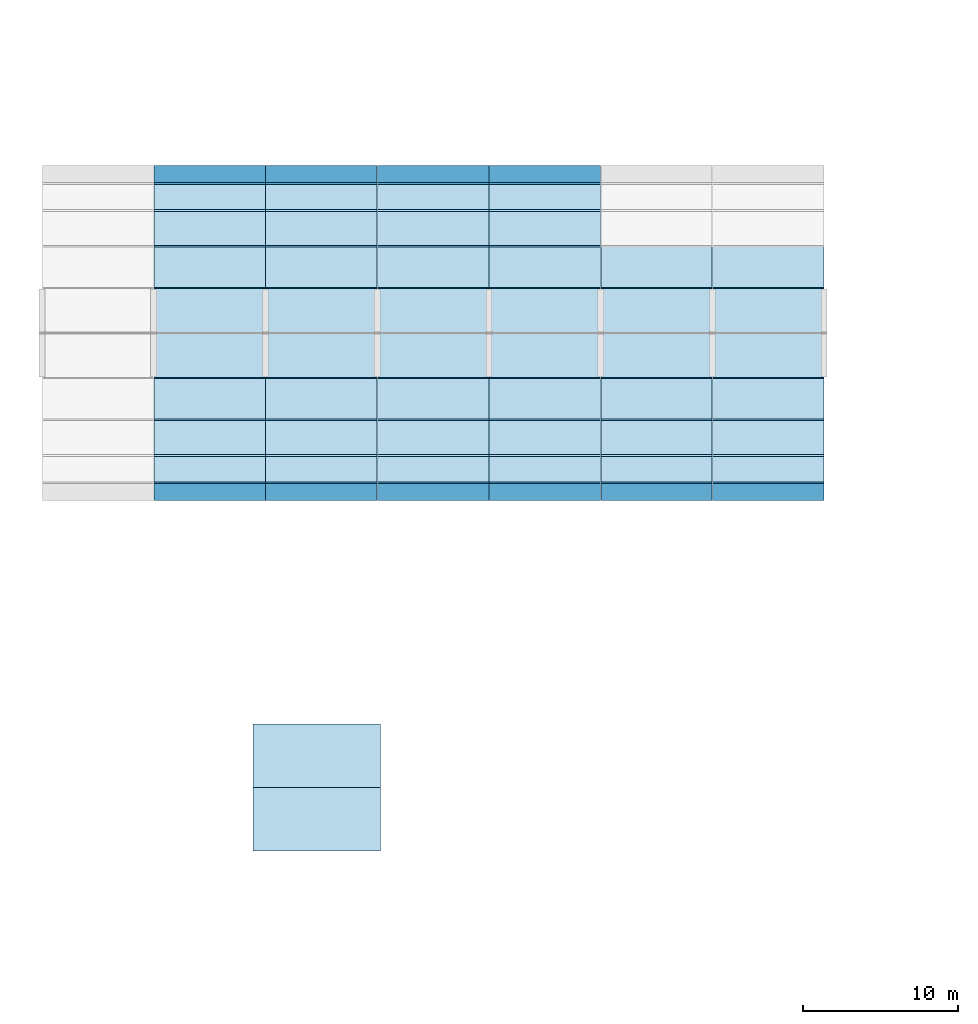
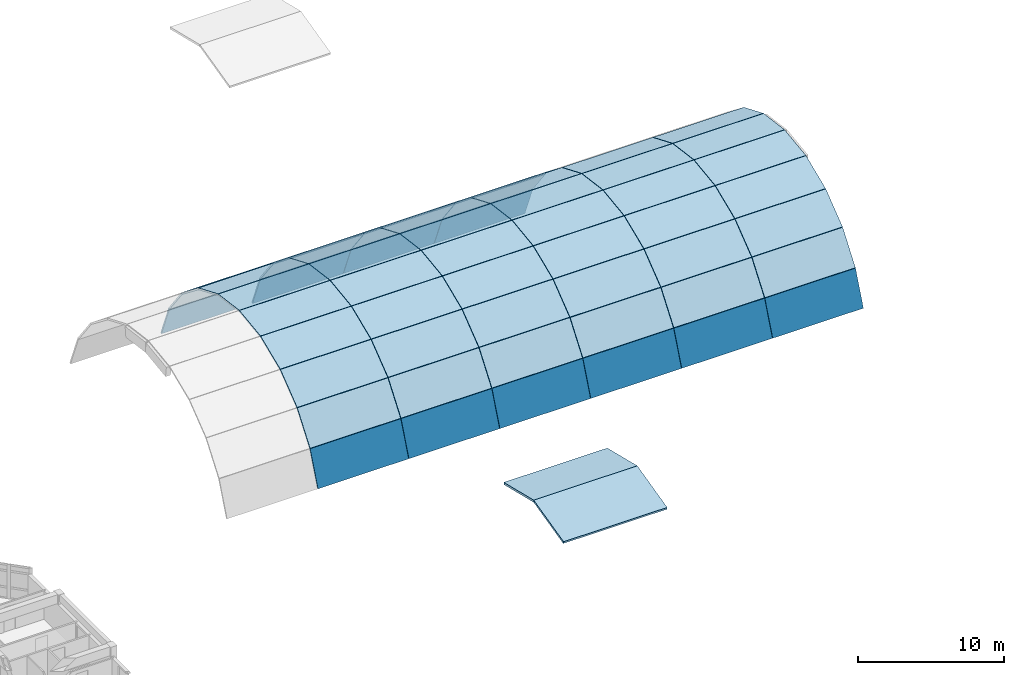
# One storey, part 14 of 51: 56 slabs, 6 elements without a shape of their own.
"""IFC4 building model written with IfcOpenShell, lengths in metres."""

from ifc_helpers import new_model, si_unit, direction, frame, origin, place, context, subcontext, project, spatial, polyline, outline, extrude, material, layer, layer_set, type_object, element, aggregate, save


model = new_model("IFC4")

# Units and contexts
model_context = context("Model", 3, precision=1e-05, world=origin(), true_north=direction((0.0, 1.0)))
body_context = subcontext(model_context, "Body", "Model", "MODEL_VIEW")
ifc_project = project(units=[si_unit("LENGTHUNIT", "METRE"), si_unit("AREAUNIT", "SQUARE_METRE"), si_unit("VOLUMEUNIT", "CUBIC_METRE"), si_unit("PLANEANGLEUNIT", "RADIAN"), si_unit("MASSUNIT", "GRAM", prefix="KILO")], contexts=[model_context])

# Site, building, storey
site_placement = place(None, origin())
site = spatial("IfcSite", under=ifc_project, at=site_placement, CompositionType="ELEMENT")
building_placement = place(site_placement, origin())
building = spatial("IfcBuilding", under=site, at=building_placement, Name="Ochrevale Crest", CompositionType="ELEMENT")
storey_placement = place(building_placement, frame((0.0, 0.0, 11.85009765625)))
storey = spatial("IfcBuildingStorey", under=building, at=storey_placement, Name="L03", CompositionType="ELEMENT", Elevation=11.85009765625)

# Slabs
ifc_material_1 = material(Name="Concrete C40/50", Category="concrete")
ifc_layer_1 = layer(ifc_material_1, 0.179931640625)
ifc_layer_set_1 = layer_set([ifc_layer_1], Name="Concrete C40/50")
slab_type_1 = type_object("IfcSlabType", Name="SLB-ROOF-OVR-180", PredefinedType="ROOF", material=ifc_layer_set_1)
slab_1_placement = place(storey_placement, frame((71.199951171875, 20.60009765625, 0.0), z_axis=(0.0, -0.23696417105, 0.971518389758), x_axis=(1.0, 0.0, 0.0)))
element("IfcSlab", 1, at=slab_1_placement, inside=storey, type_object=slab_type_1, Name="Retail roof-garden sunroom south pitched roof", PredefinedType="ROOF", context=body_context, shape_type="SweptSolid", body=[
    extrude(outline(polyline([(0.0, 0.0), (8.199951171875, 0.0), (8.199951171875, 4.2200472567949605), (0.0, 4.2200472567949605), (0.0, 0.0)])), origin(), (0.0, 0.0, -1.0), 0.179931640625),
])
slab_2_placement = place(storey_placement, frame((71.199951171875, 24.699951171875, 1.0), z_axis=(0.0, 0.236950853242, 0.971521638024), x_axis=(1.0, 0.0, 0.0)))
element("IfcSlab", 2, at=slab_2_placement, inside=storey, type_object=slab_type_1, Name="Retail roof-garden sunroom north pitched roof", PredefinedType="ROOF", context=body_context, shape_type="SweptSolid", body=[
    extrude(outline(polyline([(0.0, 0.0), (8.199951171875, 0.0), (8.199951171875, 4.220284444298363), (0.0, 4.220284444298363), (0.0, 0.0)])), origin(), (0.0, 0.0, -1.0), 0.179931640625),
])

# Roof, slabs
ifc_material_2 = material(Name="Precast concrete C40/50", Category="concrete")
ifc_layer_2 = layer(ifc_material_2, 0.135009765625)
ifc_layer_set_2 = layer_set([ifc_layer_2], Name="Precast concrete C40/50")
roof_type = type_object("IfcRoofType", Name="ROOF-BARREL-HALL", PredefinedType="BARREL_ROOF", material=ifc_layer_set_2)
roof_1_placement = place(storey_placement, origin())
roof_1 = element("IfcRoof", 3, at=roof_1_placement, inside=storey, type_object=roof_type, Name="Community hall barrel vault bay V2", PredefinedType="BARREL_ROOF")
ifc_layer_3 = layer(ifc_material_2, 0.135009765625)
ifc_layer_set_3 = layer_set([ifc_layer_3], Name="Precast concrete C40/50")
slab_type_2 = type_object("IfcSlabType", Name="SLB-VAULT-135", PredefinedType="ROOF", material=ifc_layer_set_3)
slab_3_placement = place(storey_placement, frame((64.81005859375, 43.204345703125, -7.039306640625), z_axis=(0.0, -0.928326408732, 0.371766161519), x_axis=(1.0, 0.0, 0.0)))
slab_3 = element("IfcSlab", 4, at=slab_3_placement, type_object=slab_type_2, Name="Community hall barrel-vault precast roof facet B2-S01", PredefinedType="ROOF", context=body_context, shape_type="SweptSolid", body=[
    extrude(outline(polyline([(0.0, 0.0), (7.179931640625, 0.0), (7.179931640625, 2.9144559292945313), (0.0, 2.9144559292945313), (0.0, 0.0)])), origin(), (0.0, 0.0, -1.0), 0.135009765625),
])
slab_4_placement = place(storey_placement, frame((64.81005859375, 44.29931640625, -4.3134765625), z_axis=(0.0, -0.798912919198, 0.601446712135), x_axis=(1.0, 0.0, 0.0)))
slab_4 = element("IfcSlab", 5, at=slab_4_placement, type_object=slab_type_2, Name="Community hall barrel-vault precast roof facet B2-S02", PredefinedType="ROOF", context=body_context, shape_type="SweptSolid", body=[
    extrude(outline(polyline([(0.0, 0.0), (7.179931640625, 0.0), (7.179931640625, 2.914116099583117), (0.0, 2.914116099583117), (0.0, 0.0)])), origin(), (0.0, 0.0, -1.0), 0.135009765625),
])
slab_5_placement = place(storey_placement, frame((64.81005859375, 46.068359375, -1.96875), z_axis=(0.0, -0.613940613515, 0.789352217376), x_axis=(1.0, 0.0, 0.0)))
slab_5 = element("IfcSlab", 6, at=slab_5_placement, type_object=slab_type_2, Name="Community hall barrel-vault precast roof facet B2-S03", PredefinedType="ROOF", context=body_context, shape_type="SweptSolid", body=[
    extrude(outline(polyline([(0.0, 0.0), (7.179931640625, 0.0), (7.179931640625, 2.914462085153314), (0.0, 2.914462085153314), (0.0, 0.0)])), origin(), (0.0, 0.0, -1.0), 0.135009765625),
])
slab_6_placement = place(storey_placement, frame((64.81005859375, 48.388916015625, -0.167724609375), z_axis=(0.0, -0.386292257236, 0.922376437253), x_axis=(1.0, 0.0, 0.0)))
slab_6 = element("IfcSlab", 7, at=slab_6_placement, type_object=slab_type_2, Name="Community hall barrel-vault precast roof facet B2-S04", PredefinedType="ROOF", context=body_context, shape_type="SweptSolid", body=[
    extrude(outline(polyline([(0.0, 0.0), (7.179931640625, 0.0), (7.179931640625, 2.9141987725270013), (0.0, 2.9141987725270013), (0.0, 0.0)])), origin(), (0.0, 0.0, -1.0), 0.135009765625),
])
slab_7_placement = place(storey_placement, frame((64.81005859375, 51.099609375, 0.964111328125), z_axis=(0.0, -0.131867379706, 0.991267367651), x_axis=(1.0, 0.0, 0.0)))
slab_7 = element("IfcSlab", 8, at=slab_7_placement, type_object=slab_type_2, Name="Community hall barrel-vault precast roof facet B2-S05", PredefinedType="ROOF", context=body_context, shape_type="SweptSolid", body=[
    extrude(outline(polyline([(0.0, 0.0), (7.179931640625, 0.0), (7.179931640625, 2.9141198119390306), (0.0, 2.9141198119390306), (0.0, 0.0)])), origin(), (0.0, 0.0, -1.0), 0.135009765625),
])
slab_8_placement = place(storey_placement, frame((64.81005859375, 54.01171875, 1.348388671875), z_axis=(0.0, 0.131867379706, 0.991267367651), x_axis=(1.0, 0.0, 0.0)))
slab_8 = element("IfcSlab", 9, at=slab_8_placement, type_object=slab_type_2, Name="Community hall barrel-vault precast roof facet B2-S06", PredefinedType="ROOF", context=body_context, shape_type="SweptSolid", body=[
    extrude(outline(polyline([(0.0, 0.0), (7.179931640625, 0.0), (7.179931640625, 2.9141198119390306), (0.0, 2.9141198119390306), (0.0, 0.0)])), origin(), (0.0, 0.0, -1.0), 0.135009765625),
])
slab_9_placement = place(storey_placement, frame((64.81005859375, 56.923095703125, 0.9580078125), z_axis=(0.0, 0.386292257236, 0.922376437253), x_axis=(1.0, 0.0, 0.0)))
slab_9 = element("IfcSlab", 10, at=slab_9_placement, type_object=slab_type_2, Name="Community hall barrel-vault precast roof facet B2-S07", PredefinedType="ROOF", context=body_context, shape_type="SweptSolid", body=[
    extrude(outline(polyline([(0.0, 0.0), (7.179931640625, 0.0), (7.179931640625, 2.9141987725270013), (0.0, 2.9141987725270013), (0.0, 0.0)])), origin(), (0.0, 0.0, -1.0), 0.135009765625),
])
slab_10_placement = place(storey_placement, frame((64.81005859375, 59.631103515625, -0.179443359375), z_axis=(0.0, 0.613940613515, 0.789352217376), x_axis=(1.0, 0.0, 0.0)))
slab_10 = element("IfcSlab", 11, at=slab_10_placement, type_object=slab_type_2, Name="Community hall barrel-vault precast roof facet B2-S08", PredefinedType="ROOF", context=body_context, shape_type="SweptSolid", body=[
    extrude(outline(polyline([(0.0, 0.0), (7.179931640625, 0.0), (7.179931640625, 2.914462085153314), (0.0, 2.914462085153314), (0.0, 0.0)])), origin(), (0.0, 0.0, -1.0), 0.135009765625),
])
slab_11_placement = place(storey_placement, frame((64.81005859375, 61.947998046875, -1.9853515625), z_axis=(0.0, 0.798912919198, 0.601446712135), x_axis=(1.0, 0.0, 0.0)))
slab_11 = element("IfcSlab", 12, at=slab_11_placement, type_object=slab_type_2, Name="Community hall barrel-vault precast roof facet B2-S09", PredefinedType="ROOF", context=body_context, shape_type="SweptSolid", body=[
    extrude(outline(polyline([(0.0, 0.0), (7.179931640625, 0.0), (7.179931640625, 2.914116099583117), (0.0, 2.914116099583117), (0.0, 0.0)])), origin(), (0.0, 0.0, -1.0), 0.135009765625),
])
slab_12_placement = place(storey_placement, frame((64.81005859375, 63.712158203125, -4.333740234375), z_axis=(0.0, 0.928326408732, 0.371766161519), x_axis=(1.0, 0.0, 0.0)))
slab_12 = element("IfcSlab", 13, at=slab_12_placement, type_object=slab_type_2, Name="Community hall barrel-vault precast roof facet B2-S10", PredefinedType="ROOF", context=body_context, shape_type="SweptSolid", body=[
    extrude(outline(polyline([(0.0, 0.0), (7.179931640625, 0.0), (7.179931640625, 2.9144559292945313), (0.0, 2.9144559292945313), (0.0, 0.0)])), origin(), (0.0, 0.0, -1.0), 0.135009765625),
])
aggregate(roof_1, [slab_3, slab_4, slab_5, slab_6, slab_7, slab_8, slab_9, slab_10, slab_11, slab_12])

roof_2_placement = place(storey_placement, origin())
roof_2 = element("IfcRoof", 14, at=roof_2_placement, inside=storey, type_object=roof_type, Name="Community hall barrel vault bay V3", PredefinedType="BARREL_ROOF")
slab_13_placement = place(storey_placement, frame((72.010009765625, 43.204345703125, -7.039306640625), z_axis=(0.0, -0.928326408732, 0.371766161519), x_axis=(1.0, 0.0, 0.0)))
slab_13 = element("IfcSlab", 15, at=slab_13_placement, type_object=slab_type_2, Name="Community hall barrel-vault precast roof facet B3-S01", PredefinedType="ROOF", context=body_context, shape_type="SweptSolid", body=[
    extrude(outline(polyline([(0.0, 0.0), (7.179931640625, 0.0), (7.179931640625, 2.9144559292945313), (0.0, 2.9144559292945313), (0.0, 0.0)])), origin(), (0.0, 0.0, -1.0), 0.135009765625),
])
slab_14_placement = place(storey_placement, frame((72.010009765625, 44.29931640625, -4.3134765625), z_axis=(0.0, -0.798912919198, 0.601446712135), x_axis=(1.0, 0.0, 0.0)))
slab_14 = element("IfcSlab", 16, at=slab_14_placement, type_object=slab_type_2, Name="Community hall barrel-vault precast roof facet B3-S02", PredefinedType="ROOF", context=body_context, shape_type="SweptSolid", body=[
    extrude(outline(polyline([(0.0, 0.0), (7.179931640625, 0.0), (7.179931640625, 2.914116099583117), (0.0, 2.914116099583117), (0.0, 0.0)])), origin(), (0.0, 0.0, -1.0), 0.135009765625),
])
slab_15_placement = place(storey_placement, frame((72.010009765625, 46.068359375, -1.96875), z_axis=(0.0, -0.613940613515, 0.789352217376), x_axis=(1.0, 0.0, 0.0)))
slab_15 = element("IfcSlab", 17, at=slab_15_placement, type_object=slab_type_2, Name="Community hall barrel-vault precast roof facet B3-S03", PredefinedType="ROOF", context=body_context, shape_type="SweptSolid", body=[
    extrude(outline(polyline([(0.0, 0.0), (7.179931640625, 0.0), (7.179931640625, 2.914462085153314), (0.0, 2.914462085153314), (0.0, 0.0)])), origin(), (0.0, 0.0, -1.0), 0.135009765625),
])
slab_16_placement = place(storey_placement, frame((72.010009765625, 48.388916015625, -0.167724609375), z_axis=(0.0, -0.386292257236, 0.922376437253), x_axis=(1.0, 0.0, 0.0)))
slab_16 = element("IfcSlab", 18, at=slab_16_placement, type_object=slab_type_2, Name="Community hall barrel-vault precast roof facet B3-S04", PredefinedType="ROOF", context=body_context, shape_type="SweptSolid", body=[
    extrude(outline(polyline([(0.0, 0.0), (7.179931640625, 0.0), (7.179931640625, 2.9141987725270013), (0.0, 2.9141987725270013), (0.0, 0.0)])), origin(), (0.0, 0.0, -1.0), 0.135009765625),
])
slab_17_placement = place(storey_placement, frame((72.010009765625, 51.099609375, 0.964111328125), z_axis=(0.0, -0.131867379706, 0.991267367651), x_axis=(1.0, 0.0, 0.0)))
slab_17 = element("IfcSlab", 19, at=slab_17_placement, type_object=slab_type_2, Name="Community hall barrel-vault precast roof facet B3-S05", PredefinedType="ROOF", context=body_context, shape_type="SweptSolid", body=[
    extrude(outline(polyline([(0.0, 0.0), (7.179931640625, 0.0), (7.179931640625, 2.9141198119390306), (0.0, 2.9141198119390306), (0.0, 0.0)])), origin(), (0.0, 0.0, -1.0), 0.135009765625),
])
slab_18_placement = place(storey_placement, frame((72.010009765625, 54.01171875, 1.348388671875), z_axis=(0.0, 0.131867379706, 0.991267367651), x_axis=(1.0, 0.0, 0.0)))
slab_18 = element("IfcSlab", 20, at=slab_18_placement, type_object=slab_type_2, Name="Community hall barrel-vault precast roof facet B3-S06", PredefinedType="ROOF", context=body_context, shape_type="SweptSolid", body=[
    extrude(outline(polyline([(0.0, 0.0), (7.179931640625, 0.0), (7.179931640625, 2.9141198119390306), (0.0, 2.9141198119390306), (0.0, 0.0)])), origin(), (0.0, 0.0, -1.0), 0.135009765625),
])
slab_19_placement = place(storey_placement, frame((72.010009765625, 56.923095703125, 0.9580078125), z_axis=(0.0, 0.386292257236, 0.922376437253), x_axis=(1.0, 0.0, 0.0)))
slab_19 = element("IfcSlab", 21, at=slab_19_placement, type_object=slab_type_2, Name="Community hall barrel-vault precast roof facet B3-S07", PredefinedType="ROOF", context=body_context, shape_type="SweptSolid", body=[
    extrude(outline(polyline([(0.0, 0.0), (7.179931640625, 0.0), (7.179931640625, 2.9141987725270013), (0.0, 2.9141987725270013), (0.0, 0.0)])), origin(), (0.0, 0.0, -1.0), 0.135009765625),
])
slab_20_placement = place(storey_placement, frame((72.010009765625, 59.631103515625, -0.179443359375), z_axis=(0.0, 0.613940613515, 0.789352217376), x_axis=(1.0, 0.0, 0.0)))
slab_20 = element("IfcSlab", 22, at=slab_20_placement, type_object=slab_type_2, Name="Community hall barrel-vault precast roof facet B3-S08", PredefinedType="ROOF", context=body_context, shape_type="SweptSolid", body=[
    extrude(outline(polyline([(0.0, 0.0), (7.179931640625, 0.0), (7.179931640625, 2.914462085153314), (0.0, 2.914462085153314), (0.0, 0.0)])), origin(), (0.0, 0.0, -1.0), 0.135009765625),
])
slab_21_placement = place(storey_placement, frame((72.010009765625, 61.947998046875, -1.9853515625), z_axis=(0.0, 0.798912919198, 0.601446712135), x_axis=(1.0, 0.0, 0.0)))
slab_21 = element("IfcSlab", 23, at=slab_21_placement, type_object=slab_type_2, Name="Community hall barrel-vault precast roof facet B3-S09", PredefinedType="ROOF", context=body_context, shape_type="SweptSolid", body=[
    extrude(outline(polyline([(0.0, 0.0), (7.179931640625, 0.0), (7.179931640625, 2.914116099583117), (0.0, 2.914116099583117), (0.0, 0.0)])), origin(), (0.0, 0.0, -1.0), 0.135009765625),
])
slab_22_placement = place(storey_placement, frame((72.010009765625, 63.712158203125, -4.333740234375), z_axis=(0.0, 0.928326408732, 0.371766161519), x_axis=(1.0, 0.0, 0.0)))
slab_22 = element("IfcSlab", 24, at=slab_22_placement, type_object=slab_type_2, Name="Community hall barrel-vault precast roof facet B3-S10", PredefinedType="ROOF", context=body_context, shape_type="SweptSolid", body=[
    extrude(outline(polyline([(0.0, 0.0), (7.179931640625, 0.0), (7.179931640625, 2.9144559292945313), (0.0, 2.9144559292945313), (0.0, 0.0)])), origin(), (0.0, 0.0, -1.0), 0.135009765625),
])
aggregate(roof_2, [slab_13, slab_14, slab_15, slab_16, slab_17, slab_18, slab_19, slab_20, slab_21, slab_22])

roof_3_placement = place(storey_placement, origin())
roof_3 = element("IfcRoof", 25, at=roof_3_placement, inside=storey, type_object=roof_type, Name="Community hall barrel vault bay V4", PredefinedType="BARREL_ROOF")
slab_23_placement = place(storey_placement, frame((79.2099609375, 43.204345703125, -7.039306640625), z_axis=(0.0, -0.928326408732, 0.371766161519), x_axis=(1.0, 0.0, 0.0)))
slab_23 = element("IfcSlab", 26, at=slab_23_placement, type_object=slab_type_2, Name="Community hall barrel-vault precast roof facet B4-S01", PredefinedType="ROOF", context=body_context, shape_type="SweptSolid", body=[
    extrude(outline(polyline([(0.0, 0.0), (7.179931640625, 0.0), (7.179931640625, 2.9144559292945313), (0.0, 2.9144559292945313), (0.0, 0.0)])), origin(), (0.0, 0.0, -1.0), 0.135009765625),
])
slab_24_placement = place(storey_placement, frame((79.2099609375, 44.29931640625, -4.3134765625), z_axis=(0.0, -0.798912919198, 0.601446712135), x_axis=(1.0, 0.0, 0.0)))
slab_24 = element("IfcSlab", 27, at=slab_24_placement, type_object=slab_type_2, Name="Community hall barrel-vault precast roof facet B4-S02", PredefinedType="ROOF", context=body_context, shape_type="SweptSolid", body=[
    extrude(outline(polyline([(0.0, 0.0), (7.179931640625, 0.0), (7.179931640625, 2.914116099583117), (0.0, 2.914116099583117), (0.0, 0.0)])), origin(), (0.0, 0.0, -1.0), 0.135009765625),
])
slab_25_placement = place(storey_placement, frame((79.2099609375, 46.068359375, -1.96875), z_axis=(0.0, -0.613940613515, 0.789352217376), x_axis=(1.0, 0.0, 0.0)))
slab_25 = element("IfcSlab", 28, at=slab_25_placement, type_object=slab_type_2, Name="Community hall barrel-vault precast roof facet B4-S03", PredefinedType="ROOF", context=body_context, shape_type="SweptSolid", body=[
    extrude(outline(polyline([(0.0, 0.0), (7.179931640625, 0.0), (7.179931640625, 2.914462085153314), (0.0, 2.914462085153314), (0.0, 0.0)])), origin(), (0.0, 0.0, -1.0), 0.135009765625),
])
slab_26_placement = place(storey_placement, frame((79.2099609375, 48.388916015625, -0.167724609375), z_axis=(0.0, -0.386292257236, 0.922376437253), x_axis=(1.0, 0.0, 0.0)))
slab_26 = element("IfcSlab", 29, at=slab_26_placement, type_object=slab_type_2, Name="Community hall barrel-vault precast roof facet B4-S04", PredefinedType="ROOF", context=body_context, shape_type="SweptSolid", body=[
    extrude(outline(polyline([(0.0, 0.0), (7.179931640625, 0.0), (7.179931640625, 2.9141987725270013), (0.0, 2.9141987725270013), (0.0, 0.0)])), origin(), (0.0, 0.0, -1.0), 0.135009765625),
])
slab_27_placement = place(storey_placement, frame((79.2099609375, 51.099609375, 0.964111328125), z_axis=(0.0, -0.131867379706, 0.991267367651), x_axis=(1.0, 0.0, 0.0)))
slab_27 = element("IfcSlab", 30, at=slab_27_placement, type_object=slab_type_2, Name="Community hall barrel-vault precast roof facet B4-S05", PredefinedType="ROOF", context=body_context, shape_type="SweptSolid", body=[
    extrude(outline(polyline([(0.0, 0.0), (7.179931640625, 0.0), (7.179931640625, 2.9141198119390306), (0.0, 2.9141198119390306), (0.0, 0.0)])), origin(), (0.0, 0.0, -1.0), 0.135009765625),
])
slab_28_placement = place(storey_placement, frame((79.2099609375, 54.01171875, 1.348388671875), z_axis=(0.0, 0.131867379706, 0.991267367651), x_axis=(1.0, 0.0, 0.0)))
slab_28 = element("IfcSlab", 31, at=slab_28_placement, type_object=slab_type_2, Name="Community hall barrel-vault precast roof facet B4-S06", PredefinedType="ROOF", context=body_context, shape_type="SweptSolid", body=[
    extrude(outline(polyline([(0.0, 0.0), (7.179931640625, 0.0), (7.179931640625, 2.9141198119390306), (0.0, 2.9141198119390306), (0.0, 0.0)])), origin(), (0.0, 0.0, -1.0), 0.135009765625),
])
slab_29_placement = place(storey_placement, frame((79.2099609375, 56.923095703125, 0.9580078125), z_axis=(0.0, 0.386292257236, 0.922376437253), x_axis=(1.0, 0.0, 0.0)))
slab_29 = element("IfcSlab", 32, at=slab_29_placement, type_object=slab_type_2, Name="Community hall barrel-vault precast roof facet B4-S07", PredefinedType="ROOF", context=body_context, shape_type="SweptSolid", body=[
    extrude(outline(polyline([(0.0, 0.0), (7.179931640625, 0.0), (7.179931640625, 2.9141987725270013), (0.0, 2.9141987725270013), (0.0, 0.0)])), origin(), (0.0, 0.0, -1.0), 0.135009765625),
])
slab_30_placement = place(storey_placement, frame((79.2099609375, 59.631103515625, -0.179443359375), z_axis=(0.0, 0.613940613515, 0.789352217376), x_axis=(1.0, 0.0, 0.0)))
slab_30 = element("IfcSlab", 33, at=slab_30_placement, type_object=slab_type_2, Name="Community hall barrel-vault precast roof facet B4-S08", PredefinedType="ROOF", context=body_context, shape_type="SweptSolid", body=[
    extrude(outline(polyline([(0.0, 0.0), (7.179931640625, 0.0), (7.179931640625, 2.914462085153314), (0.0, 2.914462085153314), (0.0, 0.0)])), origin(), (0.0, 0.0, -1.0), 0.135009765625),
])
slab_31_placement = place(storey_placement, frame((79.2099609375, 61.947998046875, -1.9853515625), z_axis=(0.0, 0.798912919198, 0.601446712135), x_axis=(1.0, 0.0, 0.0)))
slab_31 = element("IfcSlab", 34, at=slab_31_placement, type_object=slab_type_2, Name="Community hall barrel-vault precast roof facet B4-S09", PredefinedType="ROOF", context=body_context, shape_type="SweptSolid", body=[
    extrude(outline(polyline([(0.0, 0.0), (7.179931640625, 0.0), (7.179931640625, 2.914116099583117), (0.0, 2.914116099583117), (0.0, 0.0)])), origin(), (0.0, 0.0, -1.0), 0.135009765625),
])
slab_32_placement = place(storey_placement, frame((79.2099609375, 63.712158203125, -4.333740234375), z_axis=(0.0, 0.928326408732, 0.371766161519), x_axis=(1.0, 0.0, 0.0)))
slab_32 = element("IfcSlab", 35, at=slab_32_placement, type_object=slab_type_2, Name="Community hall barrel-vault precast roof facet B4-S10", PredefinedType="ROOF", context=body_context, shape_type="SweptSolid", body=[
    extrude(outline(polyline([(0.0, 0.0), (7.179931640625, 0.0), (7.179931640625, 2.9144559292945313), (0.0, 2.9144559292945313), (0.0, 0.0)])), origin(), (0.0, 0.0, -1.0), 0.135009765625),
])
aggregate(roof_3, [slab_23, slab_24, slab_25, slab_26, slab_27, slab_28, slab_29, slab_30, slab_31, slab_32])

roof_4_placement = place(storey_placement, origin())
roof_4 = element("IfcRoof", 36, at=roof_4_placement, inside=storey, type_object=roof_type, Name="Community hall barrel vault bay V5", PredefinedType="BARREL_ROOF")
slab_33_placement = place(storey_placement, frame((86.409912109375, 43.204345703125, -7.039306640625), z_axis=(0.0, -0.928326408732, 0.371766161519), x_axis=(1.0, 0.0, 0.0)))
slab_33 = element("IfcSlab", 37, at=slab_33_placement, type_object=slab_type_2, Name="Community hall barrel-vault precast roof facet B5-S01", PredefinedType="ROOF", context=body_context, shape_type="SweptSolid", body=[
    extrude(outline(polyline([(0.0, 0.0), (7.18017578125, 0.0), (7.18017578125, 2.9144559292945305), (0.0, 2.9144559292945305), (0.0, 0.0)])), origin(), (0.0, 0.0, -1.0), 0.135009765625),
])
slab_34_placement = place(storey_placement, frame((86.409912109375, 44.29931640625, -4.3134765625), z_axis=(0.0, -0.798912919198, 0.601446712135), x_axis=(1.0, 0.0, 0.0)))
slab_34 = element("IfcSlab", 38, at=slab_34_placement, type_object=slab_type_2, Name="Community hall barrel-vault precast roof facet B5-S02", PredefinedType="ROOF", context=body_context, shape_type="SweptSolid", body=[
    extrude(outline(polyline([(0.0, 0.0), (7.18017578125, 0.0), (7.18017578125, 2.914116099583117), (0.0, 2.914116099583117), (0.0, 0.0)])), origin(), (0.0, 0.0, -1.0), 0.135009765625),
])
slab_35_placement = place(storey_placement, frame((86.409912109375, 46.068359375, -1.96875), z_axis=(0.0, -0.613940613515, 0.789352217376), x_axis=(1.0, 0.0, 0.0)))
slab_35 = element("IfcSlab", 39, at=slab_35_placement, type_object=slab_type_2, Name="Community hall barrel-vault precast roof facet B5-S03", PredefinedType="ROOF", context=body_context, shape_type="SweptSolid", body=[
    extrude(outline(polyline([(0.0, 0.0), (7.18017578125, 0.0), (7.18017578125, 2.914462085153314), (0.0, 2.914462085153314), (0.0, 0.0)])), origin(), (0.0, 0.0, -1.0), 0.135009765625),
])
slab_36_placement = place(storey_placement, frame((86.409912109375, 48.388916015625, -0.167724609375), z_axis=(0.0, -0.386292257236, 0.922376437253), x_axis=(1.0, 0.0, 0.0)))
slab_36 = element("IfcSlab", 40, at=slab_36_placement, type_object=slab_type_2, Name="Community hall barrel-vault precast roof facet B5-S04", PredefinedType="ROOF", context=body_context, shape_type="SweptSolid", body=[
    extrude(outline(polyline([(0.0, 0.0), (7.18017578125, 0.0), (7.18017578125, 2.9141987725270013), (0.0, 2.9141987725270013), (0.0, 0.0)])), origin(), (0.0, 0.0, -1.0), 0.135009765625),
])
slab_37_placement = place(storey_placement, frame((86.409912109375, 51.099609375, 0.964111328125), z_axis=(0.0, -0.131867379706, 0.991267367651), x_axis=(1.0, 0.0, 0.0)))
slab_37 = element("IfcSlab", 41, at=slab_37_placement, type_object=slab_type_2, Name="Community hall barrel-vault precast roof facet B5-S05", PredefinedType="ROOF", context=body_context, shape_type="SweptSolid", body=[
    extrude(outline(polyline([(0.0, 0.0), (7.18017578125, 0.0), (7.18017578125, 2.9141198119390306), (0.0, 2.9141198119390306), (0.0, 0.0)])), origin(), (0.0, 0.0, -1.0), 0.135009765625),
])
slab_38_placement = place(storey_placement, frame((86.409912109375, 54.01171875, 1.348388671875), z_axis=(0.0, 0.131867379706, 0.991267367651), x_axis=(1.0, 0.0, 0.0)))
slab_38 = element("IfcSlab", 42, at=slab_38_placement, type_object=slab_type_2, Name="Community hall barrel-vault precast roof facet B5-S06", PredefinedType="ROOF", context=body_context, shape_type="SweptSolid", body=[
    extrude(outline(polyline([(0.0, 0.0), (7.18017578125, 0.0), (7.18017578125, 2.9141198119390306), (0.0, 2.9141198119390306), (0.0, 0.0)])), origin(), (0.0, 0.0, -1.0), 0.135009765625),
])
slab_39_placement = place(storey_placement, frame((86.409912109375, 56.923095703125, 0.9580078125), z_axis=(0.0, 0.386292257236, 0.922376437253), x_axis=(1.0, 0.0, 0.0)))
slab_39 = element("IfcSlab", 43, at=slab_39_placement, type_object=slab_type_2, Name="Community hall barrel-vault precast roof facet B5-S07", PredefinedType="ROOF", context=body_context, shape_type="SweptSolid", body=[
    extrude(outline(polyline([(0.0, 0.0), (7.18017578125, 0.0), (7.18017578125, 2.9141987725270013), (0.0, 2.9141987725270013), (0.0, 0.0)])), origin(), (0.0, 0.0, -1.0), 0.135009765625),
])
slab_40_placement = place(storey_placement, frame((86.409912109375, 59.631103515625, -0.179443359375), z_axis=(0.0, 0.613940613515, 0.789352217376), x_axis=(1.0, 0.0, 0.0)))
slab_40 = element("IfcSlab", 44, at=slab_40_placement, type_object=slab_type_2, Name="Community hall barrel-vault precast roof facet B5-S08", PredefinedType="ROOF", context=body_context, shape_type="SweptSolid", body=[
    extrude(outline(polyline([(0.0, 0.0), (7.18017578125, 0.0), (7.18017578125, 2.914462085153314), (0.0, 2.914462085153314), (0.0, 0.0)])), origin(), (0.0, 0.0, -1.0), 0.135009765625),
])
slab_41_placement = place(storey_placement, frame((86.409912109375, 61.947998046875, -1.9853515625), z_axis=(0.0, 0.798912919198, 0.601446712135), x_axis=(1.0, 0.0, 0.0)))
slab_41 = element("IfcSlab", 45, at=slab_41_placement, type_object=slab_type_2, Name="Community hall barrel-vault precast roof facet B5-S09", PredefinedType="ROOF", context=body_context, shape_type="SweptSolid", body=[
    extrude(outline(polyline([(0.0, 0.0), (7.18017578125, 0.0), (7.18017578125, 2.914116099583117), (0.0, 2.914116099583117), (0.0, 0.0)])), origin(), (0.0, 0.0, -1.0), 0.135009765625),
])
slab_42_placement = place(storey_placement, frame((86.409912109375, 63.712158203125, -4.333740234375), z_axis=(0.0, 0.928326408732, 0.371766161519), x_axis=(1.0, 0.0, 0.0)))
slab_42 = element("IfcSlab", 46, at=slab_42_placement, type_object=slab_type_2, Name="Community hall barrel-vault precast roof facet B5-S10", PredefinedType="ROOF", context=body_context, shape_type="SweptSolid", body=[
    extrude(outline(polyline([(0.0, 0.0), (7.18017578125, 0.0), (7.18017578125, 2.9144559292945305), (0.0, 2.9144559292945305), (0.0, 0.0)])), origin(), (0.0, 0.0, -1.0), 0.135009765625),
])
aggregate(roof_4, [slab_33, slab_34, slab_35, slab_36, slab_37, slab_38, slab_39, slab_40, slab_41, slab_42])

roof_5_placement = place(storey_placement, origin())
roof_5 = element("IfcRoof", 47, at=roof_5_placement, inside=storey, type_object=roof_type, Name="Community hall barrel vault bay V6", PredefinedType="BARREL_ROOF")
slab_43_placement = place(storey_placement, frame((93.610107421875, 43.204345703125, -7.039306640625), z_axis=(0.0, -0.928326408732, 0.371766161519), x_axis=(1.0, 0.0, 0.0)))
slab_43 = element("IfcSlab", 48, at=slab_43_placement, type_object=slab_type_2, Name="Community hall barrel-vault precast roof facet B6-S01", PredefinedType="ROOF", context=body_context, shape_type="SweptSolid", body=[
    extrude(outline(polyline([(0.0, 0.0), (7.179931640625, 0.0), (7.179931640625, 2.9144559292945313), (0.0, 2.9144559292945313), (0.0, 0.0)])), origin(), (0.0, 0.0, -1.0), 0.135009765625),
])
slab_44_placement = place(storey_placement, frame((93.610107421875, 44.29931640625, -4.3134765625), z_axis=(0.0, -0.798912919198, 0.601446712135), x_axis=(1.0, 0.0, 0.0)))
slab_44 = element("IfcSlab", 49, at=slab_44_placement, type_object=slab_type_2, Name="Community hall barrel-vault precast roof facet B6-S02", PredefinedType="ROOF", context=body_context, shape_type="SweptSolid", body=[
    extrude(outline(polyline([(0.0, 0.0), (7.179931640625, 0.0), (7.179931640625, 2.914116099583117), (0.0, 2.914116099583117), (0.0, 0.0)])), origin(), (0.0, 0.0, -1.0), 0.135009765625),
])
slab_45_placement = place(storey_placement, frame((93.610107421875, 46.068359375, -1.96875), z_axis=(0.0, -0.613940613515, 0.789352217376), x_axis=(1.0, 0.0, 0.0)))
slab_45 = element("IfcSlab", 50, at=slab_45_placement, type_object=slab_type_2, Name="Community hall barrel-vault precast roof facet B6-S03", PredefinedType="ROOF", context=body_context, shape_type="SweptSolid", body=[
    extrude(outline(polyline([(0.0, 0.0), (7.179931640625, 0.0), (7.179931640625, 2.914462085153314), (0.0, 2.914462085153314), (0.0, 0.0)])), origin(), (0.0, 0.0, -1.0), 0.135009765625),
])
slab_46_placement = place(storey_placement, frame((93.610107421875, 48.388916015625, -0.167724609375), z_axis=(0.0, -0.386292257236, 0.922376437253), x_axis=(1.0, 0.0, 0.0)))
slab_46 = element("IfcSlab", 51, at=slab_46_placement, type_object=slab_type_2, Name="Community hall barrel-vault precast roof facet B6-S04", PredefinedType="ROOF", context=body_context, shape_type="SweptSolid", body=[
    extrude(outline(polyline([(0.0, 0.0), (7.179931640625, 0.0), (7.179931640625, 2.9141987725270013), (0.0, 2.9141987725270013), (0.0, 0.0)])), origin(), (0.0, 0.0, -1.0), 0.135009765625),
])
slab_47_placement = place(storey_placement, frame((93.610107421875, 51.099609375, 0.964111328125), z_axis=(0.0, -0.131867379706, 0.991267367651), x_axis=(1.0, 0.0, 0.0)))
slab_47 = element("IfcSlab", 52, at=slab_47_placement, type_object=slab_type_2, Name="Community hall barrel-vault precast roof facet B6-S05", PredefinedType="ROOF", context=body_context, shape_type="SweptSolid", body=[
    extrude(outline(polyline([(0.0, 0.0), (7.179931640625, 0.0), (7.179931640625, 2.9141198119390306), (0.0, 2.9141198119390306), (0.0, 0.0)])), origin(), (0.0, 0.0, -1.0), 0.135009765625),
])
slab_48_placement = place(storey_placement, frame((93.610107421875, 54.01171875, 1.348388671875), z_axis=(0.0, 0.131867379706, 0.991267367651), x_axis=(1.0, 0.0, 0.0)))
slab_48 = element("IfcSlab", 53, at=slab_48_placement, type_object=slab_type_2, Name="Community hall barrel-vault precast roof facet B6-S06", PredefinedType="ROOF", context=body_context, shape_type="SweptSolid", body=[
    extrude(outline(polyline([(0.0, 0.0), (7.179931640625, 0.0), (7.179931640625, 2.9141198119390306), (0.0, 2.9141198119390306), (0.0, 0.0)])), origin(), (0.0, 0.0, -1.0), 0.135009765625),
])
slab_49_placement = place(storey_placement, frame((93.610107421875, 56.923095703125, 0.9580078125), z_axis=(0.0, 0.386292257236, 0.922376437253), x_axis=(1.0, 0.0, 0.0)))
slab_49 = element("IfcSlab", 54, at=slab_49_placement, type_object=slab_type_2, Name="Community hall barrel-vault precast roof facet B6-S07", PredefinedType="ROOF", context=body_context, shape_type="SweptSolid", body=[
    extrude(outline(polyline([(0.0, 0.0), (7.179931640625, 0.0), (7.179931640625, 2.9141987725270013), (0.0, 2.9141987725270013), (0.0, 0.0)])), origin(), (0.0, 0.0, -1.0), 0.135009765625),
])
aggregate(roof_5, [slab_43, slab_44, slab_45, slab_46, slab_47, slab_48, slab_49])

roof_6_placement = place(storey_placement, origin())
roof_6 = element("IfcRoof", 55, at=roof_6_placement, inside=storey, type_object=roof_type, Name="Community hall barrel vault bay V7", PredefinedType="BARREL_ROOF")
slab_50_placement = place(storey_placement, frame((100.81005859375, 43.204345703125, -7.039306640625), z_axis=(0.0, -0.928326408732, 0.371766161519), x_axis=(1.0, 0.0, 0.0)))
slab_50 = element("IfcSlab", 56, at=slab_50_placement, type_object=slab_type_2, Name="Community hall barrel-vault precast roof facet B7-S01", PredefinedType="ROOF", context=body_context, shape_type="SweptSolid", body=[
    extrude(outline(polyline([(0.0, 0.0), (7.179931640625, 0.0), (7.179931640625, 2.9144559292945313), (0.0, 2.9144559292945313), (0.0, 0.0)])), origin(), (0.0, 0.0, -1.0), 0.135009765625),
])
slab_51_placement = place(storey_placement, frame((100.81005859375, 44.29931640625, -4.3134765625), z_axis=(0.0, -0.798912919198, 0.601446712135), x_axis=(1.0, 0.0, 0.0)))
slab_51 = element("IfcSlab", 57, at=slab_51_placement, type_object=slab_type_2, Name="Community hall barrel-vault precast roof facet B7-S02", PredefinedType="ROOF", context=body_context, shape_type="SweptSolid", body=[
    extrude(outline(polyline([(0.0, 0.0), (7.179931640625, 0.0), (7.179931640625, 2.914116099583117), (0.0, 2.914116099583117), (0.0, 0.0)])), origin(), (0.0, 0.0, -1.0), 0.135009765625),
])
slab_52_placement = place(storey_placement, frame((100.81005859375, 46.068359375, -1.96875), z_axis=(0.0, -0.613940613515, 0.789352217376), x_axis=(1.0, 0.0, 0.0)))
slab_52 = element("IfcSlab", 58, at=slab_52_placement, type_object=slab_type_2, Name="Community hall barrel-vault precast roof facet B7-S03", PredefinedType="ROOF", context=body_context, shape_type="SweptSolid", body=[
    extrude(outline(polyline([(0.0, 0.0), (7.179931640625, 0.0), (7.179931640625, 2.914462085153314), (0.0, 2.914462085153314), (0.0, 0.0)])), origin(), (0.0, 0.0, -1.0), 0.135009765625),
])
slab_53_placement = place(storey_placement, frame((100.81005859375, 48.388916015625, -0.167724609375), z_axis=(0.0, -0.386292257236, 0.922376437253), x_axis=(1.0, 0.0, 0.0)))
slab_53 = element("IfcSlab", 59, at=slab_53_placement, type_object=slab_type_2, Name="Community hall barrel-vault precast roof facet B7-S04", PredefinedType="ROOF", context=body_context, shape_type="SweptSolid", body=[
    extrude(outline(polyline([(0.0, 0.0), (7.179931640625, 0.0), (7.179931640625, 2.9141987725270013), (0.0, 2.9141987725270013), (0.0, 0.0)])), origin(), (0.0, 0.0, -1.0), 0.135009765625),
])
slab_54_placement = place(storey_placement, frame((100.81005859375, 51.099609375, 0.964111328125), z_axis=(0.0, -0.131867379706, 0.991267367651), x_axis=(1.0, 0.0, 0.0)))
slab_54 = element("IfcSlab", 60, at=slab_54_placement, type_object=slab_type_2, Name="Community hall barrel-vault precast roof facet B7-S05", PredefinedType="ROOF", context=body_context, shape_type="SweptSolid", body=[
    extrude(outline(polyline([(0.0, 0.0), (7.179931640625, 0.0), (7.179931640625, 2.9141198119390306), (0.0, 2.9141198119390306), (0.0, 0.0)])), origin(), (0.0, 0.0, -1.0), 0.135009765625),
])
slab_55_placement = place(storey_placement, frame((100.81005859375, 54.01171875, 1.348388671875), z_axis=(0.0, 0.131867379706, 0.991267367651), x_axis=(1.0, 0.0, 0.0)))
slab_55 = element("IfcSlab", 61, at=slab_55_placement, type_object=slab_type_2, Name="Community hall barrel-vault precast roof facet B7-S06", PredefinedType="ROOF", context=body_context, shape_type="SweptSolid", body=[
    extrude(outline(polyline([(0.0, 0.0), (7.179931640625, 0.0), (7.179931640625, 2.9141198119390306), (0.0, 2.9141198119390306), (0.0, 0.0)])), origin(), (0.0, 0.0, -1.0), 0.135009765625),
])
slab_56_placement = place(storey_placement, frame((100.81005859375, 56.923095703125, 0.9580078125), z_axis=(0.0, 0.386292257236, 0.922376437253), x_axis=(1.0, 0.0, 0.0)))
slab_56 = element("IfcSlab", 62, at=slab_56_placement, type_object=slab_type_2, Name="Community hall barrel-vault precast roof facet B7-S07", PredefinedType="ROOF", context=body_context, shape_type="SweptSolid", body=[
    extrude(outline(polyline([(0.0, 0.0), (7.179931640625, 0.0), (7.179931640625, 2.9141987725270013), (0.0, 2.9141987725270013), (0.0, 0.0)])), origin(), (0.0, 0.0, -1.0), 0.135009765625),
])
aggregate(roof_6, [slab_50, slab_51, slab_52, slab_53, slab_54, slab_55, slab_56])

save(model, "model.ifc")
